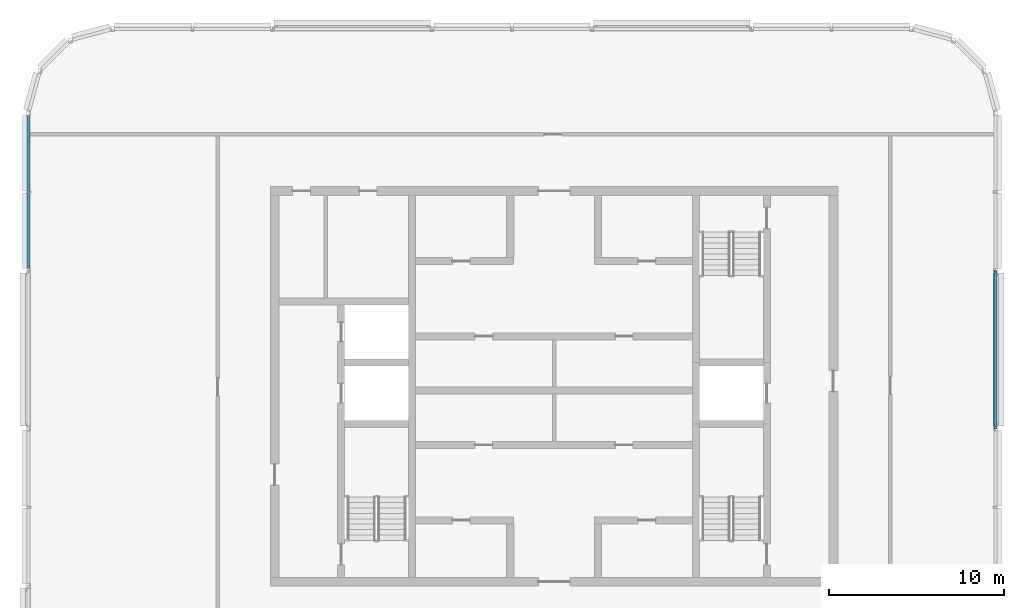
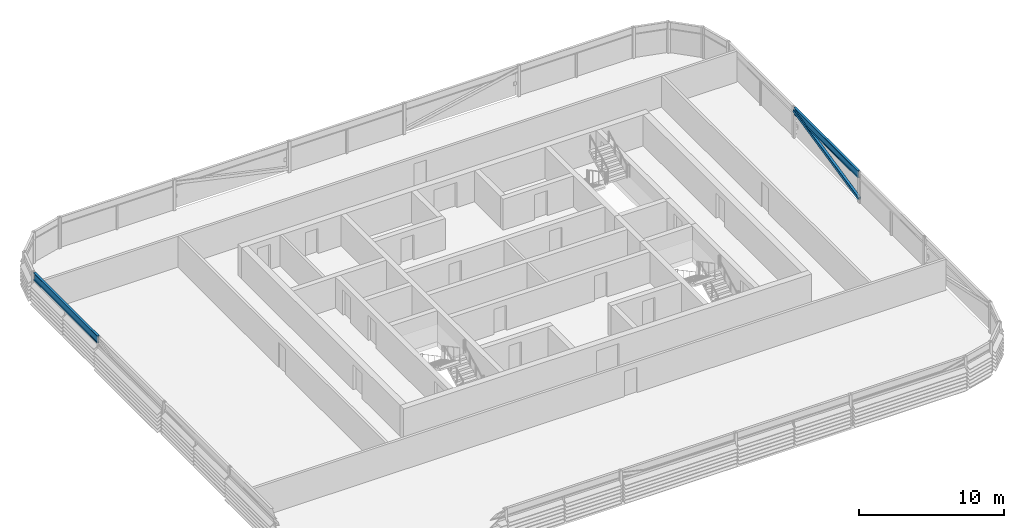
# One storey, part 10 of 27: 2 beams, 1 member.
"""IFC4 building model written with IfcOpenShell, lengths in metres."""

from ifc_helpers import new_model, si_unit, direction, frame, origin, origin_2d, place, context, subcontext, project, spatial, hollow_rectangle, i_section, extrude, material, material_profile, profile_set, type_object, element, save


model = new_model("IFC4")

# Units and contexts
model_context = context("Model", 3, precision=1e-05, world=origin(), true_north=direction((0.0, 1.0)))
body_context = subcontext(model_context, "Body", "Model", "MODEL_VIEW")
ifc_project = project(units=[si_unit("LENGTHUNIT", "METRE"), si_unit("AREAUNIT", "SQUARE_METRE"), si_unit("VOLUMEUNIT", "CUBIC_METRE"), si_unit("PLANEANGLEUNIT", "RADIAN"), si_unit("MASSUNIT", "GRAM", prefix="KILO")], contexts=[model_context])

# Site, building, storey
site_placement = place(None, origin())
site = spatial("IfcSite", under=ifc_project, at=site_placement, CompositionType="ELEMENT")
building_placement = place(site_placement, origin())
building = spatial("IfcBuilding", under=site, at=building_placement, Name="Madar Terraces", CompositionType="ELEMENT")
storey_placement = place(building_placement, frame((0.0, 0.0, 314.300048828125)))
storey = spatial("IfcBuildingStorey", under=building, at=storey_placement, Name="L81", CompositionType="ELEMENT", Elevation=314.300048828125)

# Beams
ifc_material_1 = material(Name="Steel ASTM A992 Grade 50", Category="steel")
ifc_material_profile_1 = material_profile(ifc_material_1, i_section(OverallWidth=0.1787109375, OverallDepth=0.60205078125, WebThickness=0.010986328125, FlangeThickness=0.014892578125, at=origin_2d()), Name="W24x62")
ifc_profile_set_1 = profile_set([ifc_material_profile_1], Name="Steel ASTM A992 Grade 50")
beam_type = type_object("IfcBeamType", Name="CF2 W24x62", PredefinedType="BEAM", material=ifc_profile_set_1)
for number, where, z_axis, x_axis, name in (
    (1, (56.39990234375, 24.1015625, 2.299072265625), (0.0, 1.0, 0.0), (-1.0, 0.0, 0.0), "Crown frame ring beam CF2"),
    (2, (1.199951171875, 41.8984375, 2.299072265625), (0.0, -1.0, 0.0), (1.0, 0.0, 0.0), "Crown frame ring beam CF2"),
):
    element("IfcBeam", number, at=place(storey_placement, frame(where, z_axis=z_axis, x_axis=x_axis)), inside=storey, type_object=beam_type, Name=name, PredefinedType="BEAM", context=body_context, shape_type="SweptSolid", body=[
        extrude(i_section(OverallWidth=0.1787109375, OverallDepth=0.60205078125, WebThickness=0.010986328125, FlangeThickness=0.014892578125, at=origin_2d()), origin(), (0.0, 0.0, 1.0), 8.796875),
    ])

# Member
ifc_material_2 = material(Name="Steel ASTM A500 Grade C", Category="steel")
ifc_material_profile_2 = material_profile(ifc_material_2, hollow_rectangle(XDim=0.203125, YDim=0.25390625, WallThickness=0.009521484375, InnerFilletRadius=0.00439453125, OuterFilletRadius=0.01318359375, at=origin_2d()), Name="HSS10x8x.375")
ifc_profile_set_2 = profile_set([ifc_material_profile_2], Name="Steel ASTM A500 Grade C")
member_type = type_object("IfcMemberType", Name="CF5 crown frame brace HSS10x8x.375", PredefinedType="BRACE", material=ifc_profile_set_2)
member_placement = place(storey_placement, frame((56.39990234375, 24.0, 0.300048828125), z_axis=(0.0, 0.976209486249, 0.21682951588), x_axis=(-1.0, 0.0, 0.0)))
element("IfcMember", 3, at=member_placement, inside=storey, type_object=member_type, Name="Crown frame brace CF5", PredefinedType="BRACE", context=body_context, shape_type="SweptSolid", body=[
    extrude(hollow_rectangle(XDim=0.203125, YDim=0.25390625, WallThickness=0.009521484375, InnerFilletRadius=0.00439453125, OuterFilletRadius=0.01318359375, at=origin_2d()), origin(), (0.0, 0.0, 1.0), 9.21923828125),
])

save(model, "model.ifc")
